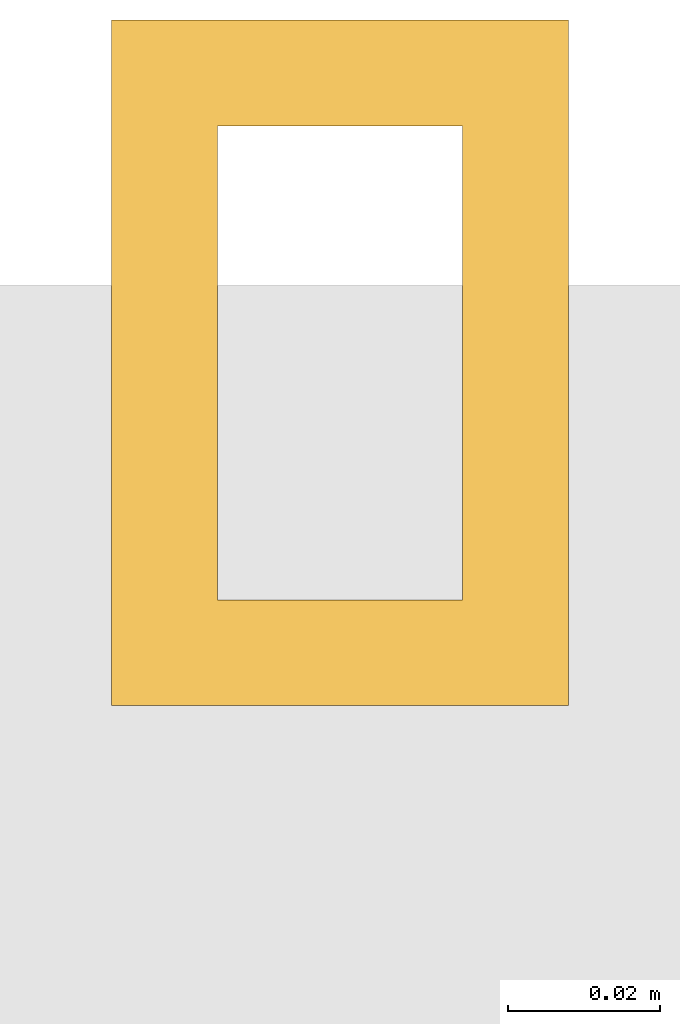
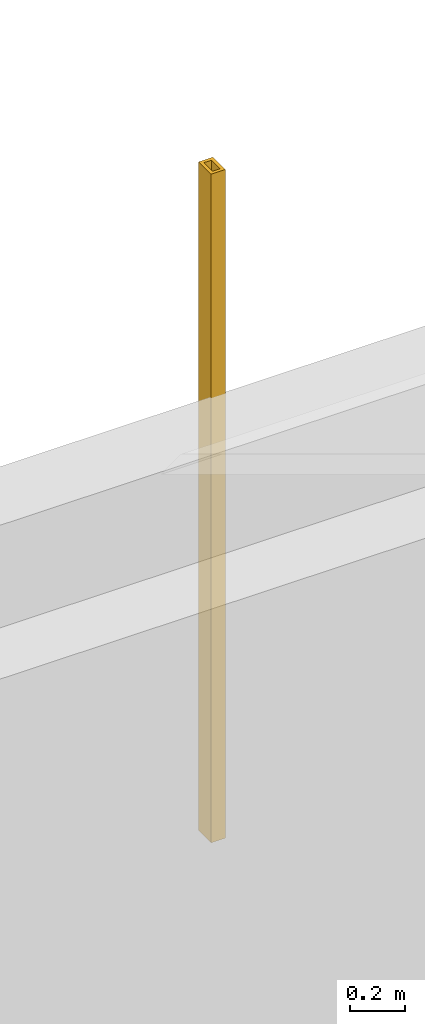
# One storey, part 30 of 30: 1 shading device.
"""IFC4 building model written with IfcOpenShell, lengths in metres."""

from ifc_helpers import new_model, si_unit, direction, frame, origin, origin_2d, place, context, subcontext, project, spatial, hollow_rectangle, extrude, material, material_profile, profile_set, type_object, element, save


model = new_model("IFC4")

# Units and contexts
model_context = context("Model", 3, precision=1e-05, world=origin(), true_north=direction((0.0, 1.0)))
body_context = subcontext(model_context, "Body", "Model", "MODEL_VIEW")
ifc_project = project(units=[si_unit("LENGTHUNIT", "METRE"), si_unit("AREAUNIT", "SQUARE_METRE"), si_unit("VOLUMEUNIT", "CUBIC_METRE"), si_unit("PLANEANGLEUNIT", "RADIAN"), si_unit("MASSUNIT", "GRAM", prefix="KILO")], contexts=[model_context])

# Site, building, storey
site_placement = place(None, origin())
site = spatial("IfcSite", under=ifc_project, at=site_placement, CompositionType="ELEMENT")
building_placement = place(site_placement, origin())
building = spatial("IfcBuilding", under=site, at=building_placement, Name="Punatoya Terracotta Tower", CompositionType="ELEMENT")
storey_placement = place(building_placement, frame((0.0, 0.0, 251.39990234375)))
storey = spatial("IfcBuildingStorey", under=building, at=storey_placement, Name="L59", CompositionType="ELEMENT", Elevation=251.39990234375)

# Shading device
ifc_material = material(Name="Architectural Fired Terracotta", Category="masonry")
ifc_material_profile = material_profile(ifc_material, hollow_rectangle(XDim=0.06005859375, YDim=0.090087890625, WallThickness=0.013916015625, at=origin_2d()))
ifc_profile_set = profile_set([ifc_material_profile], Name="Architectural Fired Terracotta")
shading_device_type = type_object("IfcShadingDeviceType", Name="SHD-JALI-90", PredefinedType="JALOUSIE", material=ifc_profile_set)
shading_device_placement = place(storey_placement, frame((12.493408203125, 23.449951171875, 0.60009765625), z_axis=(0.0, 0.0, 1.0), x_axis=(1.0, 0.0, 0.0)))
element("IfcShadingDevice", 1, at=shading_device_placement, inside=storey, type_object=shading_device_type, Name="L59 Braced Bay Terracotta Jali Fin N1", PredefinedType="JALOUSIE", context=body_context, shape_type="SweptSolid", body=[
    extrude(hollow_rectangle(XDim=0.06005859375, YDim=0.090087890625, WallThickness=0.013916015625, at=origin_2d()), origin(), (0.0, 0.0, 1.0), 2.949951171875),
])

save(model, "model.ifc")
